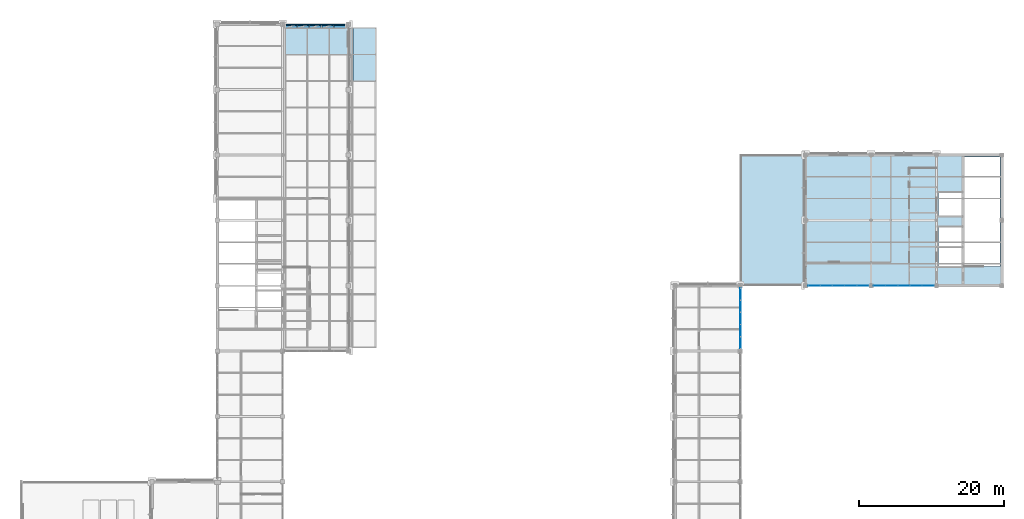
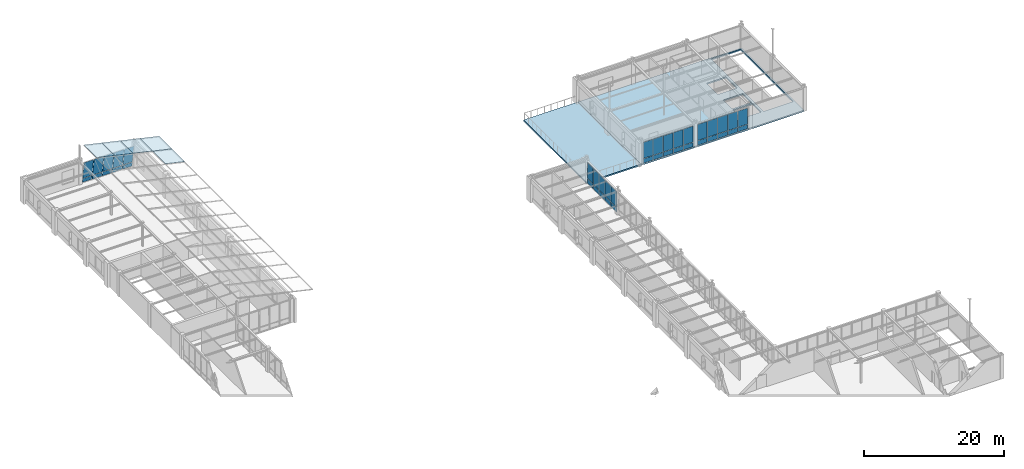
# One storey, part 76 of 97: 45 plates, 2 slabs, 3 openings, 6 elements without a shape of their own.
"""IFC4 building model written with IfcOpenShell, lengths in metres."""

from ifc_helpers import new_model, si_unit, direction, frame, origin, origin_2d, place, context, subcontext, project, spatial, polyline, rectangle, outline, extrude, material, layer, layer_set, type_object, element, aggregate, save


model = new_model("IFC4")

# Units and contexts
model_context = context("Model", 3, precision=1e-05, world=origin(), true_north=direction((0.0, 1.0)))
body_context = subcontext(model_context, "Body", "Model", "MODEL_VIEW")
ifc_project = project(units=[si_unit("LENGTHUNIT", "METRE"), si_unit("AREAUNIT", "SQUARE_METRE"), si_unit("VOLUMEUNIT", "CUBIC_METRE"), si_unit("PLANEANGLEUNIT", "RADIAN"), si_unit("MASSUNIT", "GRAM", prefix="KILO")], contexts=[model_context])

# Site, building, storey
site_placement = place(None, origin())
site = spatial("IfcSite", under=ifc_project, at=site_placement, CompositionType="ELEMENT")
building_placement = place(site_placement, origin())
building = spatial("IfcBuilding", under=site, at=building_placement, Name="Lykobir Media Centre", CompositionType="ELEMENT")
storey_placement = place(building_placement, frame((0.0, 0.0, 23.39990234375)))
storey = spatial("IfcBuildingStorey", under=building, at=storey_placement, Name="L05", CompositionType="ELEMENT", Elevation=23.39990234375)

# Curtain wall, plates
ifc_material_1 = material(Name="Anodized Aluminium AW-6060", Category="aluminium")
curtain_wall_type_1 = type_object("IfcCurtainWallType", Name="CW-COURT-B", PredefinedType="NOTDEFINED", material=ifc_material_1)
curtain_wall_1_placement = place(storey_placement, origin())
curtain_wall_1 = element("IfcCurtainWall", 1, at=curtain_wall_1_placement, inside=storey, type_object=curtain_wall_type_1, Name="Curtain wall CW2-L05-0186", PredefinedType="NOTDEFINED")
ifc_material_2 = material(Name="Low-E Laminated Triple Glazing", Category="glass")
ifc_layer_1 = layer(ifc_material_2, 0.0380859375, Name="Low-E Laminated Triple Glazing")
ifc_layer_set_1 = layer_set([ifc_layer_1], Name="Low-E Laminated Triple Glazing")
plate_type_1 = type_object("IfcPlateType", Name="CWP-GLZ-38", PredefinedType="CURTAIN_PANEL", material=ifc_layer_set_1)
plate_1_placement = place(storey_placement, frame((99.0, 70.84228515625, 0.877685546875), z_axis=(0.0, 0.0, 1.0), x_axis=(0.0, -1.0, 0.0)))
plate_1 = element("IfcPlate", 2, at=plate_1_placement, type_object=plate_type_1, Name="CW2-L05-0186 panel 1.2", PredefinedType="CURTAIN_PANEL", context=body_context, shape_type="SweptSolid", body=[
    extrude(rectangle(XDim=1.595458984375, YDim=0.0380859375, at=origin_2d()), origin(), (0.0, 0.0, 1.0), 2.762451171875),
])
plate_2_placement = place(storey_placement, frame((99.0, 69.177978515625, 0.877685546875), z_axis=(0.0, 0.0, 1.0), x_axis=(0.0, -1.0, 0.0)))
plate_2 = element("IfcPlate", 3, at=plate_2_placement, type_object=plate_type_1, Name="CW2-L05-0186 panel 2.2", PredefinedType="CURTAIN_PANEL", context=body_context, shape_type="SweptSolid", body=[
    extrude(rectangle(XDim=1.623046875, YDim=0.0380859375, at=origin_2d()), origin(), (0.0, 0.0, 1.0), 2.762451171875),
])
plate_3_placement = place(storey_placement, frame((99.0, 67.5, 0.877685546875), z_axis=(0.0, 0.0, 1.0), x_axis=(0.0, -1.0, 0.0)))
plate_3 = element("IfcPlate", 4, at=plate_3_placement, type_object=plate_type_1, Name="CW2-L05-0186 panel 3.2", PredefinedType="CURTAIN_PANEL", context=body_context, shape_type="SweptSolid", body=[
    extrude(rectangle(XDim=1.623046875, YDim=0.0380859375, at=origin_2d()), origin(), (0.0, 0.0, 1.0), 2.762451171875),
])
plate_4_placement = place(storey_placement, frame((99.0, 65.822021484375, 0.877685546875), z_axis=(0.0, 0.0, 1.0), x_axis=(0.0, -1.0, 0.0)))
plate_4 = element("IfcPlate", 5, at=plate_4_placement, type_object=plate_type_1, Name="CW2-L05-0186 panel 4.2", PredefinedType="CURTAIN_PANEL", context=body_context, shape_type="SweptSolid", body=[
    extrude(rectangle(XDim=1.623046875, YDim=0.0380859375, at=origin_2d()), origin(), (0.0, 0.0, 1.0), 2.762451171875),
])
plate_5_placement = place(storey_placement, frame((99.0, 64.15771484375, 0.877685546875), z_axis=(0.0, 0.0, 1.0), x_axis=(0.0, -1.0, 0.0)))
plate_5 = element("IfcPlate", 6, at=plate_5_placement, type_object=plate_type_1, Name="CW2-L05-0186 panel 5.2", PredefinedType="CURTAIN_PANEL", context=body_context, shape_type="SweptSolid", body=[
    extrude(rectangle(XDim=1.595458984375, YDim=0.0380859375, at=origin_2d()), origin(), (0.0, 0.0, 1.0), 2.762451171875),
])

curtain_wall_2_placement = place(storey_placement, origin())
curtain_wall_2 = element("IfcCurtainWall", 7, at=curtain_wall_2_placement, inside=storey, type_object=curtain_wall_type_1, Name="Curtain wall CW2-L05-0204", PredefinedType="NOTDEFINED")
plate_6_placement = place(storey_placement, frame((115.84228515625, 72.0, 0.877685546875), z_axis=(0.0, 0.0, 1.0), x_axis=(-1.0, 0.0, 0.0)))
plate_6 = element("IfcPlate", 8, at=plate_6_placement, type_object=plate_type_1, Name="CW2-L05-0204 panel 1.2", PredefinedType="CURTAIN_PANEL", context=body_context, shape_type="SweptSolid", body=[
    extrude(rectangle(XDim=1.595458984375, YDim=0.0380859375, at=origin_2d()), origin(), (0.0, 0.0, 1.0), 2.802490234375),
])
plate_7_placement = place(storey_placement, frame((114.177978515625, 72.0, 0.877685546875), z_axis=(0.0, 0.0, 1.0), x_axis=(-1.0, 0.0, 0.0)))
plate_7 = element("IfcPlate", 9, at=plate_7_placement, type_object=plate_type_1, Name="CW2-L05-0204 panel 2.2", PredefinedType="CURTAIN_PANEL", context=body_context, shape_type="SweptSolid", body=[
    extrude(rectangle(XDim=1.623046875, YDim=0.0380859375, at=origin_2d()), origin(), (0.0, 0.0, 1.0), 2.802490234375),
])
plate_8_placement = place(storey_placement, frame((112.5, 72.0, 0.877685546875), z_axis=(0.0, 0.0, 1.0), x_axis=(-1.0, 0.0, 0.0)))
plate_8 = element("IfcPlate", 10, at=plate_8_placement, type_object=plate_type_1, Name="CW2-L05-0204 panel 3.2", PredefinedType="CURTAIN_PANEL", context=body_context, shape_type="SweptSolid", body=[
    extrude(rectangle(XDim=1.623046875, YDim=0.0380859375, at=origin_2d()), origin(), (0.0, 0.0, 1.0), 2.802490234375),
])
plate_9_placement = place(storey_placement, frame((110.822021484375, 72.0, 0.877685546875), z_axis=(0.0, 0.0, 1.0), x_axis=(-1.0, 0.0, 0.0)))
plate_9 = element("IfcPlate", 11, at=plate_9_placement, type_object=plate_type_1, Name="CW2-L05-0204 panel 4.2", PredefinedType="CURTAIN_PANEL", context=body_context, shape_type="SweptSolid", body=[
    extrude(rectangle(XDim=1.623046875, YDim=0.0380859375, at=origin_2d()), origin(), (0.0, 0.0, 1.0), 2.802490234375),
])
plate_10_placement = place(storey_placement, frame((109.15771484375, 72.0, 0.877685546875), z_axis=(0.0, 0.0, 1.0), x_axis=(-1.0, 0.0, 0.0)))
plate_10 = element("IfcPlate", 12, at=plate_10_placement, type_object=plate_type_1, Name="CW2-L05-0204 panel 5.2", PredefinedType="CURTAIN_PANEL", context=body_context, shape_type="SweptSolid", body=[
    extrude(rectangle(XDim=1.595458984375, YDim=0.0380859375, at=origin_2d()), origin(), (0.0, 0.0, 1.0), 2.802490234375),
])

curtain_wall_3_placement = place(storey_placement, origin())
curtain_wall_3 = element("IfcCurtainWall", 13, at=curtain_wall_3_placement, inside=storey, type_object=curtain_wall_type_1, Name="Curtain wall CW2-L05-0205", PredefinedType="NOTDEFINED")
plate_11_placement = place(storey_placement, frame((124.84228515625, 72.0, 0.877685546875), z_axis=(0.0, 0.0, 1.0), x_axis=(-1.0, 0.0, 0.0)))
plate_11 = element("IfcPlate", 14, at=plate_11_placement, type_object=plate_type_1, Name="CW2-L05-0205 panel 1.2", PredefinedType="CURTAIN_PANEL", context=body_context, shape_type="SweptSolid", body=[
    extrude(rectangle(XDim=1.595458984375, YDim=0.0380859375, at=origin_2d()), origin(), (0.0, 0.0, 1.0), 2.802490234375),
])
plate_12_placement = place(storey_placement, frame((123.177978515625, 72.0, 0.877685546875), z_axis=(0.0, 0.0, 1.0), x_axis=(-1.0, 0.0, 0.0)))
plate_12 = element("IfcPlate", 15, at=plate_12_placement, type_object=plate_type_1, Name="CW2-L05-0205 panel 2.2", PredefinedType="CURTAIN_PANEL", context=body_context, shape_type="SweptSolid", body=[
    extrude(rectangle(XDim=1.623046875, YDim=0.0380859375, at=origin_2d()), origin(), (0.0, 0.0, 1.0), 2.802490234375),
])
plate_13_placement = place(storey_placement, frame((121.5, 72.0, 0.877685546875), z_axis=(0.0, 0.0, 1.0), x_axis=(-1.0, 0.0, 0.0)))
plate_13 = element("IfcPlate", 16, at=plate_13_placement, type_object=plate_type_1, Name="CW2-L05-0205 panel 3.2", PredefinedType="CURTAIN_PANEL", context=body_context, shape_type="SweptSolid", body=[
    extrude(rectangle(XDim=1.623046875, YDim=0.0380859375, at=origin_2d()), origin(), (0.0, 0.0, 1.0), 2.802490234375),
])
plate_14_placement = place(storey_placement, frame((119.822021484375, 72.0, 0.877685546875), z_axis=(0.0, 0.0, 1.0), x_axis=(-1.0, 0.0, 0.0)))
plate_14 = element("IfcPlate", 17, at=plate_14_placement, type_object=plate_type_1, Name="CW2-L05-0205 panel 4.2", PredefinedType="CURTAIN_PANEL", context=body_context, shape_type="SweptSolid", body=[
    extrude(rectangle(XDim=1.623046875, YDim=0.0380859375, at=origin_2d()), origin(), (0.0, 0.0, 1.0), 2.802490234375),
])
plate_15_placement = place(storey_placement, frame((118.15771484375, 72.0, 0.877685546875), z_axis=(0.0, 0.0, 1.0), x_axis=(-1.0, 0.0, 0.0)))
plate_15 = element("IfcPlate", 18, at=plate_15_placement, type_object=plate_type_1, Name="CW2-L05-0205 panel 5.2", PredefinedType="CURTAIN_PANEL", context=body_context, shape_type="SweptSolid", body=[
    extrude(rectangle(XDim=1.595458984375, YDim=0.0380859375, at=origin_2d()), origin(), (0.0, 0.0, 1.0), 2.802490234375),
])

curtain_wall_type_2 = type_object("IfcCurtainWallType", Name="CW-V6-CR5", PredefinedType="NOTDEFINED", material=ifc_material_1)
curtain_wall_4_placement = place(storey_placement, origin())
curtain_wall_4 = element("IfcCurtainWall", 19, at=curtain_wall_4_placement, inside=storey, type_object=curtain_wall_type_2, Name="Curtain wall CW2-L05-0200", PredefinedType="NOTDEFINED")
ifc_layer_2 = layer(ifc_material_2, 0.0439453125, Name="Low-E Laminated Triple Glazing")
ifc_layer_set_2 = layer_set([ifc_layer_2], Name="Low-E Laminated Triple Glazing")
plate_type_2 = type_object("IfcPlateType", Name="CWP-GLZ-44", PredefinedType="CURTAIN_PANEL", material=ifc_layer_set_2)
plate_16_placement = place(storey_placement, frame((37.162841796875, 107.873291015625, 0.87841796875), z_axis=(0.0, -0.142628933706, 0.989776230908), x_axis=(1.0, 0.0, 0.0)))
plate_16 = element("IfcPlate", 20, at=plate_16_placement, type_object=plate_type_2, Name="CW2-L05-0200 panel 1.2", PredefinedType="CURTAIN_PANEL", context=body_context, shape_type="SweptSolid", body=[
    extrude(rectangle(XDim=1.5654296875, YDim=0.0439453125, at=origin_2d()), origin(), (0.0, 0.0, 1.0), 3.018310546875),
])
plate_17_placement = place(storey_placement, frame((38.822021484375, 107.873291015625, 0.87841796875), z_axis=(0.0, -0.142628933706, 0.989776230908), x_axis=(1.0, 0.0, 0.0)))
plate_17 = element("IfcPlate", 21, at=plate_17_placement, type_object=plate_type_2, Name="CW2-L05-0200 panel 2.2", PredefinedType="CURTAIN_PANEL", context=body_context, shape_type="SweptSolid", body=[
    extrude(rectangle(XDim=1.60302734375, YDim=0.0439453125, at=origin_2d()), origin(), (0.0, 0.0, 1.0), 3.018310546875),
])
plate_18_placement = place(storey_placement, frame((40.5, 107.873291015625, 0.87841796875), z_axis=(0.0, -0.142628933706, 0.989776230908), x_axis=(1.0, 0.0, 0.0)))
plate_18 = element("IfcPlate", 22, at=plate_18_placement, type_object=plate_type_2, Name="CW2-L05-0200 panel 3.2", PredefinedType="CURTAIN_PANEL", context=body_context, shape_type="SweptSolid", body=[
    extrude(rectangle(XDim=1.60302734375, YDim=0.0439453125, at=origin_2d()), origin(), (0.0, 0.0, 1.0), 3.018310546875),
])
plate_19_placement = place(storey_placement, frame((42.177978515625, 107.873291015625, 0.87841796875), z_axis=(0.0, -0.142628933706, 0.989776230908), x_axis=(1.0, 0.0, 0.0)))
plate_19 = element("IfcPlate", 23, at=plate_19_placement, type_object=plate_type_2, Name="CW2-L05-0200 panel 4.2", PredefinedType="CURTAIN_PANEL", context=body_context, shape_type="SweptSolid", body=[
    extrude(rectangle(XDim=1.60302734375, YDim=0.0439453125, at=origin_2d()), origin(), (0.0, 0.0, 1.0), 3.018310546875),
])
plate_20_placement = place(storey_placement, frame((43.837158203125, 107.873291015625, 0.87841796875), z_axis=(0.0, -0.142628933706, 0.989776230908), x_axis=(1.0, 0.0, 0.0)))
plate_20 = element("IfcPlate", 24, at=plate_20_placement, type_object=plate_type_2, Name="CW2-L05-0200 panel 5.2", PredefinedType="CURTAIN_PANEL", context=body_context, shape_type="SweptSolid", body=[
    extrude(rectangle(XDim=1.5654296875, YDim=0.0439453125, at=origin_2d()), origin(), (0.0, 0.0, 1.0), 3.018310546875),
])

curtain_wall_type_3 = type_object("IfcCurtainWallType", Name="CW-V6-SKY", PredefinedType="NOTDEFINED", material=ifc_material_1)
curtain_wall_5_placement = place(storey_placement, origin())
curtain_wall_5 = element("IfcCurtainWall", 25, at=curtain_wall_5_placement, inside=storey, type_object=curtain_wall_type_3, Name="Curtain wall CW-V6-SKY06", PredefinedType="NOTDEFINED")
plate_21_placement = place(storey_placement, frame((48.85498046875, 105.685546875, 4.086181640625), z_axis=(-0.975257506879, 0.0, 0.221071923309), x_axis=(0.0, -1.0, 0.0)))
plate_21 = element("IfcPlate", 26, at=plate_21_placement, type_object=plate_type_2, Name="CW-V6-SKY06 panel 1.1", PredefinedType="CURTAIN_PANEL", context=body_context, shape_type="SweptSolid", body=[
    extrude(rectangle(XDim=3.6650390625, YDim=0.0439453125, at=origin_2d()), origin(), (0.0, 0.0, 1.0), 3.290771484375),
])
plate_22_placement = place(storey_placement, frame((45.639892578125, 105.685546875, 4.815185546875), z_axis=(-0.975257506879, 0.0, 0.221071923309), x_axis=(0.0, -1.0, 0.0)))
plate_22 = element("IfcPlate", 27, at=plate_22_placement, type_object=plate_type_2, Name="CW-V6-SKY06 panel 1.2", PredefinedType="CURTAIN_PANEL", context=body_context, shape_type="SweptSolid", body=[
    extrude(rectangle(XDim=3.6650390625, YDim=0.0439453125, at=origin_2d()), origin(), (0.0, 0.0, 1.0), 3.290771484375),
])
plate_23_placement = place(storey_placement, frame((48.85498046875, 102.014892578125, 4.086181640625), z_axis=(-0.975257506879, 0.0, 0.221071923309), x_axis=(0.0, -1.0, 0.0)))
plate_23 = element("IfcPlate", 28, at=plate_23_placement, type_object=plate_type_2, Name="CW-V6-SKY06 panel 2.1", PredefinedType="CURTAIN_PANEL", context=body_context, shape_type="SweptSolid", body=[
    extrude(rectangle(XDim=3.6640625, YDim=0.0439453125, at=origin_2d()), origin(), (0.0, 0.0, 1.0), 3.290771484375),
])
aggregate(curtain_wall_5, [plate_21, plate_22, plate_23])

curtain_wall_6_placement = place(storey_placement, origin())
curtain_wall_6 = element("IfcCurtainWall", 29, at=curtain_wall_6_placement, inside=storey, type_object=curtain_wall_type_3, Name="Curtain wall CW-V6-SKY07", PredefinedType="NOTDEFINED")
plate_24_placement = place(storey_placement, frame((42.426513671875, 105.685546875, 5.54345703125), z_axis=(-0.975261365164, 0.0, 0.221054901821), x_axis=(0.0, -1.0, 0.0)))
plate_24 = element("IfcPlate", 30, at=plate_24_placement, type_object=plate_type_2, Name="CW-V6-SKY07 panel 1.1", PredefinedType="CURTAIN_PANEL", context=body_context, shape_type="SweptSolid", body=[
    extrude(rectangle(XDim=3.6650390625, YDim=0.0439453125, at=origin_2d()), origin(), (0.0, 0.0, 1.0), 3.095947265625),
])
plate_25_placement = place(storey_placement, frame((39.4013671875, 105.685546875, 6.229248046875), z_axis=(-0.975261365164, 0.0, 0.221054901821), x_axis=(0.0, -1.0, 0.0)))
plate_25 = element("IfcPlate", 31, at=plate_25_placement, type_object=plate_type_2, Name="CW-V6-SKY07 panel 1.2", PredefinedType="CURTAIN_PANEL", context=body_context, shape_type="SweptSolid", body=[
    extrude(rectangle(XDim=3.6650390625, YDim=0.0439453125, at=origin_2d()), origin(), (0.0, 0.0, 1.0), 3.09619140625),
])
aggregate(curtain_wall_6, [plate_24, plate_25])

# Plate
ifc_material_3 = material(Name="Pre-Weathered Titanium-Zinc", Category="metal")
ifc_layer_3 = layer(ifc_material_3, 0.052001953125, Name="Pre-Weathered Titanium-Zinc")
ifc_layer_set_3 = layer_set([ifc_layer_3], Name="Pre-Weathered Titanium-Zinc")
plate_type_3 = type_object("IfcPlateType", Name="CWP-SPN-52", PredefinedType="CURTAIN_PANEL", material=ifc_layer_set_3)
plate_26_placement = place(storey_placement, frame((99.0, 70.84228515625, 0.05517578125), z_axis=(0.0, 0.0, 1.0), x_axis=(0.0, -1.0, 0.0)))
plate_26 = element("IfcPlate", 32, at=plate_26_placement, type_object=plate_type_3, Name="CW2-L05-0186 panel 1.1", PredefinedType="CURTAIN_PANEL", context=body_context, shape_type="SweptSolid", body=[
    extrude(rectangle(XDim=1.595458984375, YDim=0.052001953125, at=origin_2d()), origin(), (0.0, 0.0, 1.0), 0.767578125),
])

plate_27_placement = place(storey_placement, frame((99.0, 69.177978515625, 0.05517578125), z_axis=(0.0, 0.0, 1.0), x_axis=(0.0, -1.0, 0.0)))
plate_27 = element("IfcPlate", 33, at=plate_27_placement, type_object=plate_type_3, Name="CW2-L05-0186 panel 2.1", PredefinedType="CURTAIN_PANEL", context=body_context, shape_type="SweptSolid", body=[
    extrude(rectangle(XDim=1.623046875, YDim=0.052001953125, at=origin_2d()), origin(), (0.0, 0.0, 1.0), 0.767578125),
])

plate_28_placement = place(storey_placement, frame((99.0, 67.5, 0.05517578125), z_axis=(0.0, 0.0, 1.0), x_axis=(0.0, -1.0, 0.0)))
plate_28 = element("IfcPlate", 34, at=plate_28_placement, type_object=plate_type_3, Name="CW2-L05-0186 panel 3.1", PredefinedType="CURTAIN_PANEL", context=body_context, shape_type="SweptSolid", body=[
    extrude(rectangle(XDim=1.623046875, YDim=0.052001953125, at=origin_2d()), origin(), (0.0, 0.0, 1.0), 0.767578125),
])

plate_29_placement = place(storey_placement, frame((99.0, 65.822021484375, 0.05517578125), z_axis=(0.0, 0.0, 1.0), x_axis=(0.0, -1.0, 0.0)))
plate_29 = element("IfcPlate", 35, at=plate_29_placement, type_object=plate_type_3, Name="CW2-L05-0186 panel 4.1", PredefinedType="CURTAIN_PANEL", context=body_context, shape_type="SweptSolid", body=[
    extrude(rectangle(XDim=1.623046875, YDim=0.052001953125, at=origin_2d()), origin(), (0.0, 0.0, 1.0), 0.767578125),
])

plate_30_placement = place(storey_placement, frame((99.0, 64.15771484375, 0.05517578125), z_axis=(0.0, 0.0, 1.0), x_axis=(0.0, -1.0, 0.0)))
plate_30 = element("IfcPlate", 36, at=plate_30_placement, type_object=plate_type_3, Name="CW2-L05-0186 panel 5.1", PredefinedType="CURTAIN_PANEL", context=body_context, shape_type="SweptSolid", body=[
    extrude(rectangle(XDim=1.595458984375, YDim=0.052001953125, at=origin_2d()), origin(), (0.0, 0.0, 1.0), 0.767578125),
])

aggregate(curtain_wall_1, [plate_26, plate_1, plate_27, plate_2, plate_28, plate_3, plate_29, plate_4, plate_30, plate_5])

plate_31_placement = place(storey_placement, frame((37.162841796875, 107.9892578125, 0.07421875), z_axis=(0.0, -0.142628933706, 0.989776230908), x_axis=(1.0, 0.0, 0.0)))
plate_31 = element("IfcPlate", 37, at=plate_31_placement, type_object=plate_type_3, Name="CW2-L05-0200 panel 1.1", PredefinedType="CURTAIN_PANEL", context=body_context, shape_type="SweptSolid", body=[
    extrude(rectangle(XDim=1.5654296875, YDim=0.052001953125, at=origin_2d()), origin(), (0.0, 0.0, 1.0), 0.737548828125),
])

plate_32_placement = place(storey_placement, frame((38.822021484375, 107.9892578125, 0.07421875), z_axis=(0.0, -0.142628933706, 0.989776230908), x_axis=(1.0, 0.0, 0.0)))
plate_32 = element("IfcPlate", 38, at=plate_32_placement, type_object=plate_type_3, Name="CW2-L05-0200 panel 2.1", PredefinedType="CURTAIN_PANEL", context=body_context, shape_type="SweptSolid", body=[
    extrude(rectangle(XDim=1.60302734375, YDim=0.052001953125, at=origin_2d()), origin(), (0.0, 0.0, 1.0), 0.737548828125),
])

plate_33_placement = place(storey_placement, frame((40.5, 107.9892578125, 0.07421875), z_axis=(0.0, -0.142628933706, 0.989776230908), x_axis=(1.0, 0.0, 0.0)))
plate_33 = element("IfcPlate", 39, at=plate_33_placement, type_object=plate_type_3, Name="CW2-L05-0200 panel 3.1", PredefinedType="CURTAIN_PANEL", context=body_context, shape_type="SweptSolid", body=[
    extrude(rectangle(XDim=1.60302734375, YDim=0.052001953125, at=origin_2d()), origin(), (0.0, 0.0, 1.0), 0.737548828125),
])

plate_34_placement = place(storey_placement, frame((42.177978515625, 107.9892578125, 0.07421875), z_axis=(0.0, -0.142628933706, 0.989776230908), x_axis=(1.0, 0.0, 0.0)))
plate_34 = element("IfcPlate", 40, at=plate_34_placement, type_object=plate_type_3, Name="CW2-L05-0200 panel 4.1", PredefinedType="CURTAIN_PANEL", context=body_context, shape_type="SweptSolid", body=[
    extrude(rectangle(XDim=1.60302734375, YDim=0.052001953125, at=origin_2d()), origin(), (0.0, 0.0, 1.0), 0.737548828125),
])

plate_35_placement = place(storey_placement, frame((43.837158203125, 107.9892578125, 0.07421875), z_axis=(0.0, -0.142628933706, 0.989776230908), x_axis=(1.0, 0.0, 0.0)))
plate_35 = element("IfcPlate", 41, at=plate_35_placement, type_object=plate_type_3, Name="CW2-L05-0200 panel 5.1", PredefinedType="CURTAIN_PANEL", context=body_context, shape_type="SweptSolid", body=[
    extrude(rectangle(XDim=1.5654296875, YDim=0.052001953125, at=origin_2d()), origin(), (0.0, 0.0, 1.0), 0.737548828125),
])

aggregate(curtain_wall_4, [plate_31, plate_16, plate_32, plate_17, plate_33, plate_18, plate_34, plate_19, plate_35, plate_20])

plate_36_placement = place(storey_placement, frame((115.84228515625, 72.0, 0.05517578125), z_axis=(0.0, 0.0, 1.0), x_axis=(-1.0, 0.0, 0.0)))
plate_36 = element("IfcPlate", 42, at=plate_36_placement, type_object=plate_type_3, Name="CW2-L05-0204 panel 1.1", PredefinedType="CURTAIN_PANEL", context=body_context, shape_type="SweptSolid", body=[
    extrude(rectangle(XDim=1.595458984375, YDim=0.052001953125, at=origin_2d()), origin(), (0.0, 0.0, 1.0), 0.767578125),
])

plate_37_placement = place(storey_placement, frame((114.177978515625, 72.0, 0.05517578125), z_axis=(0.0, 0.0, 1.0), x_axis=(-1.0, 0.0, 0.0)))
plate_37 = element("IfcPlate", 43, at=plate_37_placement, type_object=plate_type_3, Name="CW2-L05-0204 panel 2.1", PredefinedType="CURTAIN_PANEL", context=body_context, shape_type="SweptSolid", body=[
    extrude(rectangle(XDim=1.623046875, YDim=0.052001953125, at=origin_2d()), origin(), (0.0, 0.0, 1.0), 0.767578125),
])

plate_38_placement = place(storey_placement, frame((112.5, 72.0, 0.05517578125), z_axis=(0.0, 0.0, 1.0), x_axis=(-1.0, 0.0, 0.0)))
plate_38 = element("IfcPlate", 44, at=plate_38_placement, type_object=plate_type_3, Name="CW2-L05-0204 panel 3.1", PredefinedType="CURTAIN_PANEL", context=body_context, shape_type="SweptSolid", body=[
    extrude(rectangle(XDim=1.623046875, YDim=0.052001953125, at=origin_2d()), origin(), (0.0, 0.0, 1.0), 0.767578125),
])

plate_39_placement = place(storey_placement, frame((110.822021484375, 72.0, 0.05517578125), z_axis=(0.0, 0.0, 1.0), x_axis=(-1.0, 0.0, 0.0)))
plate_39 = element("IfcPlate", 45, at=plate_39_placement, type_object=plate_type_3, Name="CW2-L05-0204 panel 4.1", PredefinedType="CURTAIN_PANEL", context=body_context, shape_type="SweptSolid", body=[
    extrude(rectangle(XDim=1.623046875, YDim=0.052001953125, at=origin_2d()), origin(), (0.0, 0.0, 1.0), 0.767578125),
])

plate_40_placement = place(storey_placement, frame((109.15771484375, 72.0, 0.05517578125), z_axis=(0.0, 0.0, 1.0), x_axis=(-1.0, 0.0, 0.0)))
plate_40 = element("IfcPlate", 46, at=plate_40_placement, type_object=plate_type_3, Name="CW2-L05-0204 panel 5.1", PredefinedType="CURTAIN_PANEL", context=body_context, shape_type="SweptSolid", body=[
    extrude(rectangle(XDim=1.595458984375, YDim=0.052001953125, at=origin_2d()), origin(), (0.0, 0.0, 1.0), 0.767578125),
])

aggregate(curtain_wall_2, [plate_36, plate_6, plate_37, plate_7, plate_38, plate_8, plate_39, plate_9, plate_40, plate_10])

plate_41_placement = place(storey_placement, frame((124.84228515625, 72.0, 0.05517578125), z_axis=(0.0, 0.0, 1.0), x_axis=(-1.0, 0.0, 0.0)))
plate_41 = element("IfcPlate", 47, at=plate_41_placement, type_object=plate_type_3, Name="CW2-L05-0205 panel 1.1", PredefinedType="CURTAIN_PANEL", context=body_context, shape_type="SweptSolid", body=[
    extrude(rectangle(XDim=1.595458984375, YDim=0.052001953125, at=origin_2d()), origin(), (0.0, 0.0, 1.0), 0.767578125),
])

plate_42_placement = place(storey_placement, frame((123.177978515625, 72.0, 0.05517578125), z_axis=(0.0, 0.0, 1.0), x_axis=(-1.0, 0.0, 0.0)))
plate_42 = element("IfcPlate", 48, at=plate_42_placement, type_object=plate_type_3, Name="CW2-L05-0205 panel 2.1", PredefinedType="CURTAIN_PANEL", context=body_context, shape_type="SweptSolid", body=[
    extrude(rectangle(XDim=1.623046875, YDim=0.052001953125, at=origin_2d()), origin(), (0.0, 0.0, 1.0), 0.767578125),
])

plate_43_placement = place(storey_placement, frame((121.5, 72.0, 0.05517578125), z_axis=(0.0, 0.0, 1.0), x_axis=(-1.0, 0.0, 0.0)))
plate_43 = element("IfcPlate", 49, at=plate_43_placement, type_object=plate_type_3, Name="CW2-L05-0205 panel 3.1", PredefinedType="CURTAIN_PANEL", context=body_context, shape_type="SweptSolid", body=[
    extrude(rectangle(XDim=1.623046875, YDim=0.052001953125, at=origin_2d()), origin(), (0.0, 0.0, 1.0), 0.767578125),
])

plate_44_placement = place(storey_placement, frame((119.822021484375, 72.0, 0.05517578125), z_axis=(0.0, 0.0, 1.0), x_axis=(-1.0, 0.0, 0.0)))
plate_44 = element("IfcPlate", 50, at=plate_44_placement, type_object=plate_type_3, Name="CW2-L05-0205 panel 4.1", PredefinedType="CURTAIN_PANEL", context=body_context, shape_type="SweptSolid", body=[
    extrude(rectangle(XDim=1.623046875, YDim=0.052001953125, at=origin_2d()), origin(), (0.0, 0.0, 1.0), 0.767578125),
])

plate_45_placement = place(storey_placement, frame((118.15771484375, 72.0, 0.05517578125), z_axis=(0.0, 0.0, 1.0), x_axis=(-1.0, 0.0, 0.0)))
plate_45 = element("IfcPlate", 51, at=plate_45_placement, type_object=plate_type_3, Name="CW2-L05-0205 panel 5.1", PredefinedType="CURTAIN_PANEL", context=body_context, shape_type="SweptSolid", body=[
    extrude(rectangle(XDim=1.595458984375, YDim=0.052001953125, at=origin_2d()), origin(), (0.0, 0.0, 1.0), 0.767578125),
])

aggregate(curtain_wall_3, [plate_41, plate_11, plate_42, plate_12, plate_43, plate_13, plate_44, plate_14, plate_45, plate_15])

# Slab, openings
ifc_material_4 = material(Name="Concrete C30/37", Category="concrete")
ifc_layer_4 = layer(ifc_material_4, 0.239990234375, Name="Concrete C30/37")
ifc_layer_set_4 = layer_set([ifc_layer_4], Name="Concrete C30/37")
slab_type_1 = type_object("IfcSlabType", Name="FS-240", PredefinedType="FLOOR", material=ifc_layer_set_4)
slab_1_placement = place(storey_placement, frame((0.0, 0.0, -0.239990234375)))
slab_1 = element("IfcSlab", 52, at=slab_1_placement, inside=storey, type_object=slab_type_1, Name="L05 structural slab 3", PredefinedType="FLOOR", context=body_context, shape_type="SweptSolid", body=[
    extrude(outline(polyline([(135.0, 90.0), (108.0, 90.0), (108.0, 72.0), (135.0, 72.0), (135.0, 90.0)]), holes=[polyline([(134.75, 74.64990234375), (129.85009765625, 74.64990234375), (129.85009765625, 89.75), (134.75, 89.75), (134.75, 74.64990234375)])]), origin(), (0.0, 0.0, 1.0), 0.239990234375),
])
opening_1_placement = place(slab_1_placement, frame((127.85009765625, 75.949951171875, 0.0)))
element("IfcOpeningElement", 53, at=opening_1_placement, cuts=slab_1, Name="Shaft opening C4-pass_shaft-L05", PredefinedType="OPENING", context=body_context, shape_type="SweptSolid", body=[
    extrude(rectangle(XDim=3.199951171875, YDim=2.5, at=origin_2d()), origin(), (0.0, 0.0, 1.0), 0.239990234375),
])
opening_2_placement = place(slab_1_placement, frame((127.85009765625, 78.75, 0.0)))
element("IfcOpeningElement", 54, at=opening_2_placement, cuts=slab_1, Name="Shaft opening C4-ff_shaft-L05", PredefinedType="OPENING", context=body_context, shape_type="SweptSolid", body=[
    extrude(rectangle(XDim=3.199951171875, YDim=2.5, at=origin_2d()), origin(), (0.0, 0.0, 1.0), 0.239990234375),
])
opening_3_placement = place(slab_1_placement, frame((127.85009765625, 83.199951171875, 0.0)))
element("IfcOpeningElement", 55, at=opening_3_placement, cuts=slab_1, Name="Shaft opening C4-goods_shaft-L05", PredefinedType="OPENING", context=body_context, shape_type="SweptSolid", body=[
    extrude(rectangle(XDim=3.199951171875, YDim=3.199951171875, at=origin_2d()), origin(), (0.0, 0.0, 1.0), 0.239990234375),
])

# Slab
ifc_material_5 = material(Name="Concrete C35/45", Category="concrete")
ifc_layer_5 = layer(ifc_material_5, 0.25, Name="Concrete C35/45")
ifc_layer_set_5 = layer_set([ifc_layer_5], Name="Concrete C35/45")
slab_type_2 = type_object("IfcSlabType", Name="TS-250", PredefinedType="FLOOR", material=ifc_layer_set_5)
slab_2_placement = place(storey_placement, frame((0.0, 0.0, -0.25)))
element("IfcSlab", 56, at=slab_2_placement, inside=storey, type_object=slab_type_2, Name="L05 East Cloister Roof Garden", PredefinedType="FLOOR", context=body_context, shape_type="SweptSolid", body=[
    extrude(outline(polyline([(108.0, 72.0), (108.0, 90.0), (99.0, 90.0), (99.0, 72.0), (108.0, 72.0)])), origin(), (0.0, 0.0, 1.0), 0.25),
])

save(model, "model.ifc")
